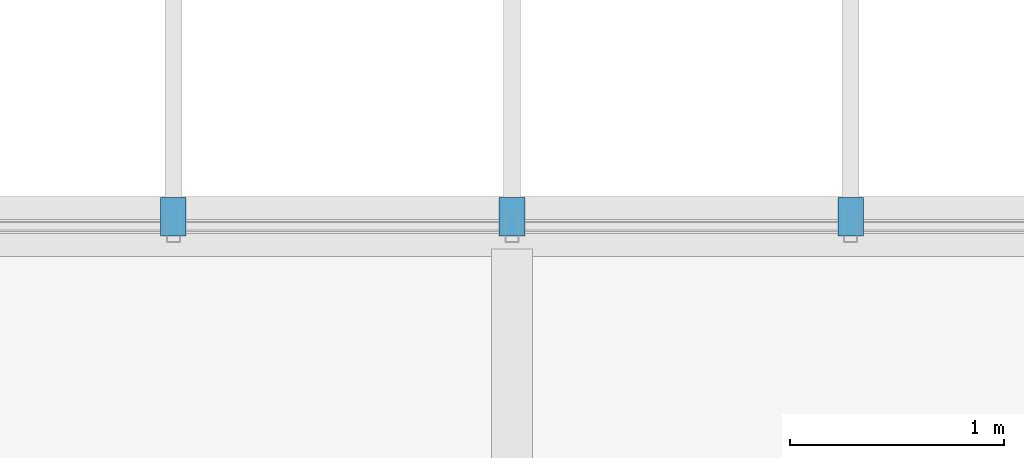
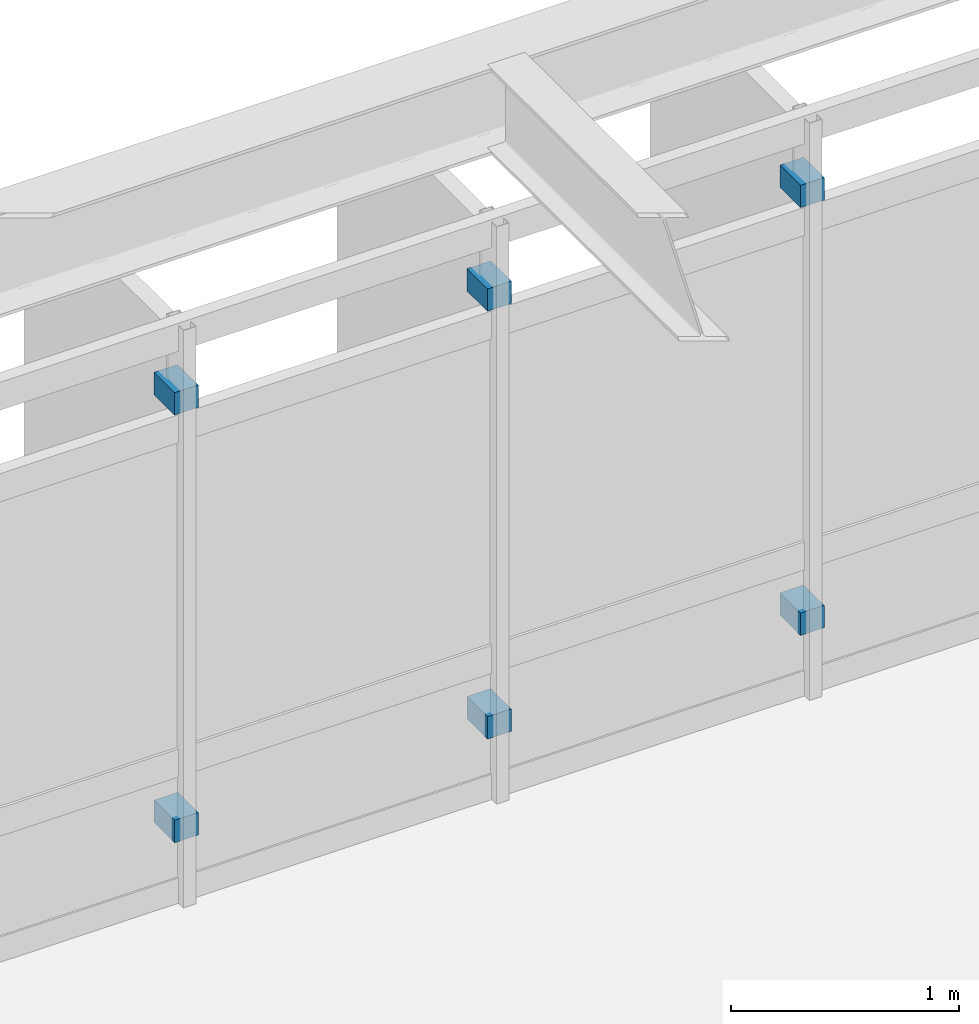
# One storey, part 29 of 33: 6 discrete accessories.
"""IFC4 building model written with IfcOpenShell, lengths in metres."""

from ifc_helpers import new_model, si_unit, direction, frame, origin, origin_2d, place, context, subcontext, project, spatial, rectangle, extrude, material, layer, layer_set, type_object, element, save


model = new_model("IFC4")

# Units and contexts
model_context = context("Model", 3, precision=1e-05, world=origin(), true_north=direction((0.0, 1.0)))
body_context = subcontext(model_context, "Body", "Model", "MODEL_VIEW")
ifc_project = project(units=[si_unit("LENGTHUNIT", "METRE"), si_unit("AREAUNIT", "SQUARE_METRE"), si_unit("VOLUMEUNIT", "CUBIC_METRE"), si_unit("PLANEANGLEUNIT", "RADIAN"), si_unit("MASSUNIT", "GRAM", prefix="KILO")], contexts=[model_context])

# Site, building, storey
site_placement = place(None, origin())
site = spatial("IfcSite", under=ifc_project, at=site_placement, CompositionType="ELEMENT")
building_placement = place(site_placement, origin())
building = spatial("IfcBuilding", under=site, at=building_placement, Name="Zulena Civic Courthouse", CompositionType="ELEMENT")
storey_placement = place(building_placement, frame((0.0, 0.0, 33.60009765625)))
storey = spatial("IfcBuildingStorey", under=building, at=storey_placement, Name="L07", CompositionType="ELEMENT", Elevation=33.60009765625)

# Discrete accessories
ifc_material = material(Name="Gold anodised architectural aluminium AA6063-T6", Category="aluminium")
ifc_layer = layer(ifc_material, 0.1201171875)
ifc_layer_set = layer_set([ifc_layer], Name="Gold anodised architectural aluminium AA6063-T6")
discrete_accessory_type = type_object("IfcDiscreteAccessoryType", Name="FinOutriggerBracket", PredefinedType="BRACKET", material=ifc_layer_set)
for number, where, z_axis, x_axis, name in (
    (1, (61.614990234375, 22.844970703125, 0.33984375), (0.0, 0.0, 1.0), (0.0, 1.0, 0.0), "brk:V2:L07:1:6:1:34.00"),
    (2, (61.614990234375, 22.844970703125, 2.6298828125), (0.0, 0.0, 1.0), (0.0, 1.0, 0.0), "brk:V2:L07:1:6:1:36.29"),
    (3, (63.199951171875, 22.844970703125, 0.33984375), (0.0, 0.0, 1.0), (0.0, 1.0, 0.0), "brk:V2:L07:1:6:2:34.00"),
    (4, (63.199951171875, 22.844970703125, 2.6298828125), (0.0, 0.0, 1.0), (0.0, 1.0, 0.0), "brk:V2:L07:1:6:2:36.29"),
    (5, (64.784912109375, 22.844970703125, 0.33984375), (0.0, 0.0, 1.0), (0.0, 1.0, 0.0), "brk:V2:L07:1:6:3:34.00"),
    (6, (64.784912109375, 22.844970703125, 2.6298828125), (0.0, 0.0, 1.0), (0.0, 1.0, 0.0), "brk:V2:L07:1:6:3:36.29"),
):
    element("IfcDiscreteAccessory", number, at=place(storey_placement, frame(where, z_axis=z_axis, x_axis=x_axis)), inside=storey, type_object=discrete_accessory_type, Name=name, PredefinedType="BRACKET", context=body_context, shape_type="SweptSolid", body=[
        extrude(rectangle(XDim=0.179931640625, YDim=0.1201171875, at=origin_2d()), origin(), (0.0, 0.0, 1.0), 0.1201171875),
    ])

save(model, "model.ifc")
